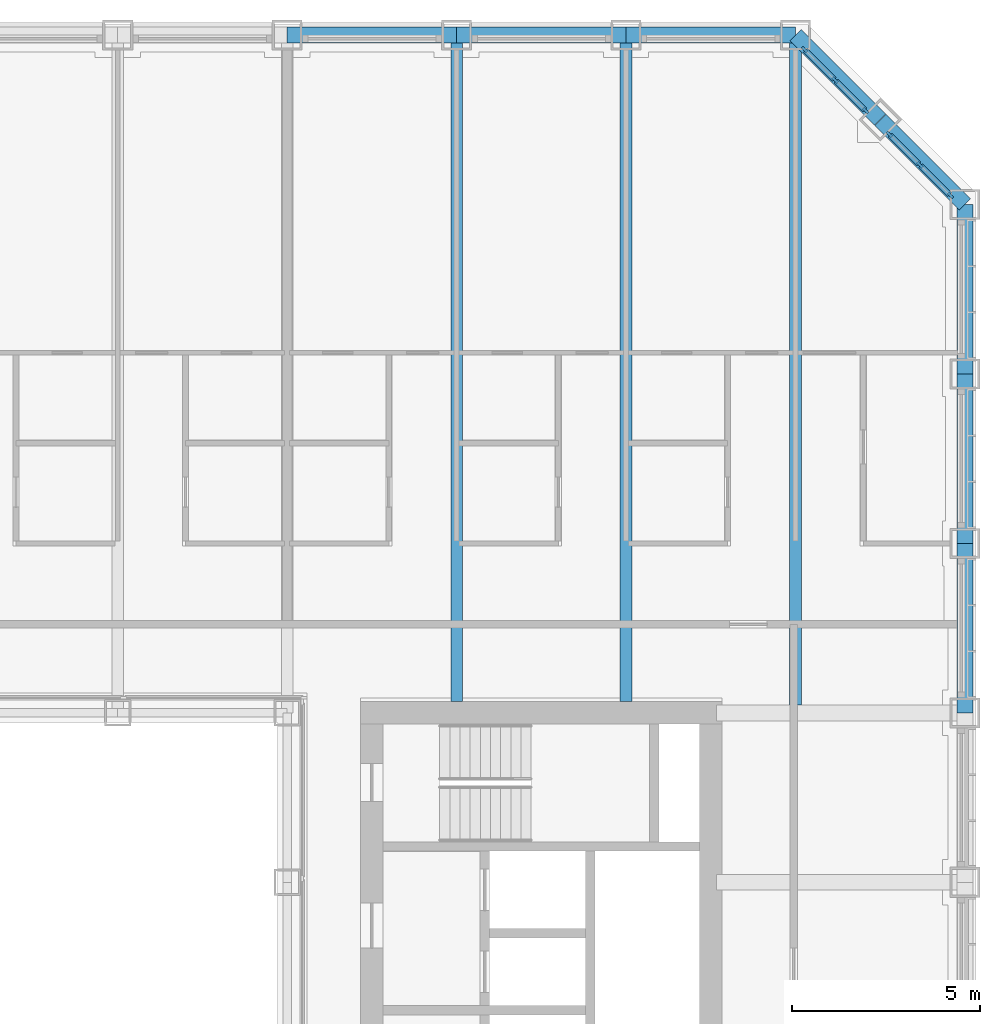
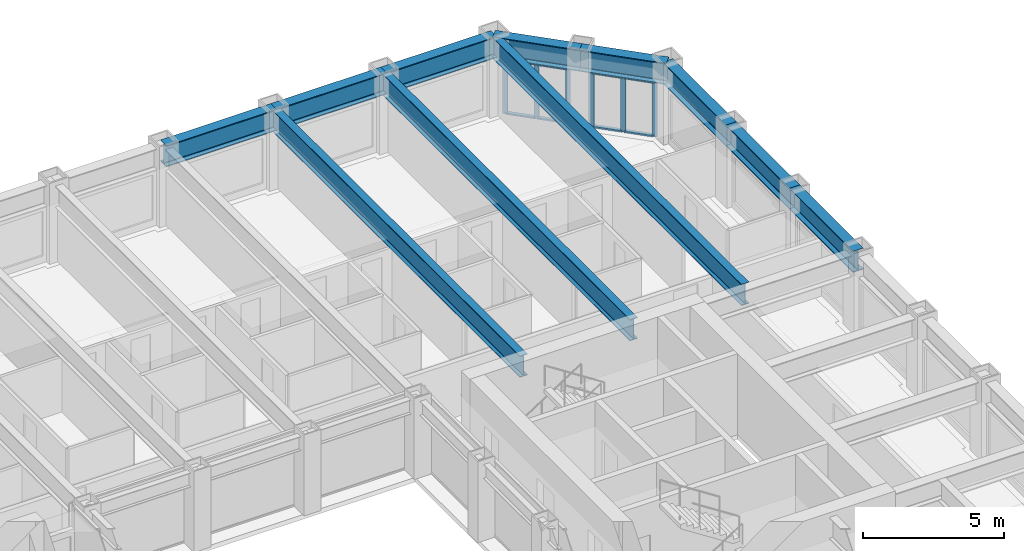
# One storey, part 7 of 21: 14 members, 11 beams, 2 elements without a shape of their own.
"""IFC4 building model written with IfcOpenShell, lengths in metres."""

from ifc_helpers import new_model, si_unit, direction, frame, origin, origin_2d, place, context, subcontext, project, spatial, rectangle, i_section, extrude, material, material_profile, profile_set, type_object, element, aggregate, save


model = new_model("IFC4")

# Units and contexts
model_context = context("Model", 3, precision=1e-05, world=origin(), true_north=direction((0.0, 1.0)))
body_context = subcontext(model_context, "Body", "Model", "MODEL_VIEW")
ifc_project = project(units=[si_unit("LENGTHUNIT", "METRE"), si_unit("AREAUNIT", "SQUARE_METRE"), si_unit("VOLUMEUNIT", "CUBIC_METRE"), si_unit("PLANEANGLEUNIT", "RADIAN"), si_unit("MASSUNIT", "GRAM", prefix="KILO")], contexts=[model_context])

# Site, building, storey
site_placement = place(None, origin())
site = spatial("IfcSite", under=ifc_project, at=site_placement, CompositionType="ELEMENT")
building_placement = place(site_placement, origin())
building = spatial("IfcBuilding", under=site, at=building_placement, Name="Msasa Ring Tower", CompositionType="ELEMENT")
storey_placement = place(building_placement, frame((0.0, 0.0, 96.5)))
storey = spatial("IfcBuildingStorey", under=building, at=storey_placement, Name="L25", CompositionType="ELEMENT", Elevation=96.5)

# Curtain wall, members
ifc_material_1 = material(Name="Aluminium curtain wall with clear glass", Category="aluminium")
curtain_wall_type = type_object("IfcCurtainWallType", Name="CW-C CHAMFER CORNER CURTAIN WALL", PredefinedType="NOTDEFINED", material=ifc_material_1)
curtain_wall_1_placement = place(storey_placement, origin())
curtain_wall_1 = element("IfcCurtainWall", 1, at=curtain_wall_1_placement, inside=storey, type_object=curtain_wall_type, Name="Chamfer corner curtain wall NE L25", PredefinedType="NOTDEFINED")
ifc_material_2 = material(Name="Aluminium mullion", Category="aluminium")
ifc_material_profile_1 = material_profile(ifc_material_2, rectangle(XDim=0.06494140625, YDim=0.179931640625, at=origin_2d()), Name="AL 65x180")
ifc_profile_set_1 = profile_set([ifc_material_profile_1], Name="Aluminium mullion")
member_type_1 = type_object("IfcMemberType", Name="CW-C MULLION 65x180", PredefinedType="MULLION", material=ifc_profile_set_1)
member_1_placement = place(storey_placement, frame((22.119873046875, 22.73876953125, 0.0), z_axis=(0.0, 0.0, 1.0), x_axis=(-0.707106781187, -0.707106781187, 0.0)))
member_1 = element("IfcMember", 2, at=member_1_placement, type_object=member_type_1, Name="CW-C mullion 1", PredefinedType="MULLION", context=body_context, shape_type="SweptSolid", body=[
    extrude(rectangle(XDim=0.06494140625, YDim=0.179931640625, at=origin_2d()), origin(), (0.0, 0.0, 1.0), 2.37890625),
])
member_2_placement = place(storey_placement, frame((21.30419921875, 23.55419921875, 0.0), z_axis=(0.0, 0.0, 1.0), x_axis=(-0.707106781187, -0.707106781187, 0.0)))
member_2 = element("IfcMember", 3, at=member_2_placement, type_object=member_type_1, Name="CW-C mullion 2", PredefinedType="MULLION", context=body_context, shape_type="SweptSolid", body=[
    extrude(rectangle(XDim=0.06494140625, YDim=0.179931640625, at=origin_2d()), origin(), (0.0, 0.0, 1.0), 2.37890625),
])
member_3_placement = place(storey_placement, frame((20.48876953125, 24.369873046875, 0.0), z_axis=(0.0, 0.0, 1.0), x_axis=(-0.707106781187, -0.707106781187, 0.0)))
member_3 = element("IfcMember", 4, at=member_3_placement, type_object=member_type_1, Name="CW-C mullion 3", PredefinedType="MULLION", context=body_context, shape_type="SweptSolid", body=[
    extrude(rectangle(XDim=0.06494140625, YDim=0.179931640625, at=origin_2d()), origin(), (0.0, 0.0, 1.0), 2.37890625),
])

curtain_wall_2_placement = place(storey_placement, origin())
curtain_wall_2 = element("IfcCurtainWall", 5, at=curtain_wall_2_placement, inside=storey, type_object=curtain_wall_type, Name="Chamfer corner curtain wall NE L25", PredefinedType="NOTDEFINED")
member_4_placement = place(storey_placement, frame((24.369873046875, 20.48876953125, 0.0), z_axis=(0.0, 0.0, 1.0), x_axis=(-0.707106781187, -0.707106781187, 0.0)))
member_4 = element("IfcMember", 6, at=member_4_placement, type_object=member_type_1, Name="CW-C mullion 1", PredefinedType="MULLION", context=body_context, shape_type="SweptSolid", body=[
    extrude(rectangle(XDim=0.06494140625, YDim=0.179931640625, at=origin_2d()), origin(), (0.0, 0.0, 1.0), 2.37890625),
])
member_5_placement = place(storey_placement, frame((23.55419921875, 21.30419921875, 0.0), z_axis=(0.0, 0.0, 1.0), x_axis=(-0.707106781187, -0.707106781187, 0.0)))
member_5 = element("IfcMember", 7, at=member_5_placement, type_object=member_type_1, Name="CW-C mullion 2", PredefinedType="MULLION", context=body_context, shape_type="SweptSolid", body=[
    extrude(rectangle(XDim=0.06494140625, YDim=0.179931640625, at=origin_2d()), origin(), (0.0, 0.0, 1.0), 2.37890625),
])
member_6_placement = place(storey_placement, frame((22.73876953125, 22.119873046875, 0.0), z_axis=(0.0, 0.0, 1.0), x_axis=(-0.707106781187, -0.707106781187, 0.0)))
member_6 = element("IfcMember", 8, at=member_6_placement, type_object=member_type_1, Name="CW-C mullion 3", PredefinedType="MULLION", context=body_context, shape_type="SweptSolid", body=[
    extrude(rectangle(XDim=0.06494140625, YDim=0.179931640625, at=origin_2d()), origin(), (0.0, 0.0, 1.0), 2.37890625),
])

# Member
ifc_material_3 = material(Name="Aluminium transom", Category="aluminium")
ifc_material_profile_2 = material_profile(ifc_material_3, rectangle(XDim=0.139892578125, YDim=0.06494140625, at=origin_2d()), Name="AL 65x140")
ifc_profile_set_2 = profile_set([ifc_material_profile_2], Name="Aluminium transom")
member_type_2 = type_object("IfcMemberType", Name="CW-C TRANSOM 65x140", PredefinedType="USERDEFINED", material=ifc_profile_set_2)
member_7_placement = place(storey_placement, frame((22.096923828125, 22.76171875, 0.032470703125), z_axis=(-0.707106781187, 0.707106781187, 0.0), x_axis=(-0.707106781187, -0.707106781187, 0.0)))
member_7 = element("IfcMember", 9, at=member_7_placement, type_object=member_type_2, Name="CW-C transom 1.1", ObjectType="TRANSOM", PredefinedType="USERDEFINED", context=body_context, shape_type="SweptSolid", body=[
    extrude(rectangle(XDim=0.139892578125, YDim=0.06494140625, at=origin_2d()), origin(), (0.0, 0.0, 1.0), 1.08837890625),
])

member_8_placement = place(storey_placement, frame((22.096923828125, 22.76171875, 2.346435546875), z_axis=(-0.707106781187, 0.707106781187, 0.0), x_axis=(-0.707106781187, -0.707106781187, 0.0)))
member_8 = element("IfcMember", 10, at=member_8_placement, type_object=member_type_2, Name="CW-C transom 1.2", ObjectType="TRANSOM", PredefinedType="USERDEFINED", context=body_context, shape_type="SweptSolid", body=[
    extrude(rectangle(XDim=0.139892578125, YDim=0.06494140625, at=origin_2d()), origin(), (0.0, 0.0, 1.0), 1.08837890625),
])

member_9_placement = place(storey_placement, frame((21.28125, 23.577392578125, 0.032470703125), z_axis=(-0.707106781187, 0.707106781187, 0.0), x_axis=(-0.707106781187, -0.707106781187, 0.0)))
member_9 = element("IfcMember", 11, at=member_9_placement, type_object=member_type_2, Name="CW-C transom 2.1", ObjectType="TRANSOM", PredefinedType="USERDEFINED", context=body_context, shape_type="SweptSolid", body=[
    extrude(rectangle(XDim=0.139892578125, YDim=0.06494140625, at=origin_2d()), origin(), (0.0, 0.0, 1.0), 1.08837890625),
])

member_10_placement = place(storey_placement, frame((21.28125, 23.577392578125, 2.346435546875), z_axis=(-0.707106781187, 0.707106781187, 0.0), x_axis=(-0.707106781187, -0.707106781187, 0.0)))
member_10 = element("IfcMember", 12, at=member_10_placement, type_object=member_type_2, Name="CW-C transom 2.2", ObjectType="TRANSOM", PredefinedType="USERDEFINED", context=body_context, shape_type="SweptSolid", body=[
    extrude(rectangle(XDim=0.139892578125, YDim=0.06494140625, at=origin_2d()), origin(), (0.0, 0.0, 1.0), 1.08837890625),
])

aggregate(curtain_wall_1, [member_1, member_2, member_3, member_7, member_8, member_9, member_10])

member_11_placement = place(storey_placement, frame((24.346923828125, 20.51171875, 0.032470703125), z_axis=(-0.707106781187, 0.707106781187, 0.0), x_axis=(-0.707106781187, -0.707106781187, 0.0)))
member_11 = element("IfcMember", 13, at=member_11_placement, type_object=member_type_2, Name="CW-C transom 1.1", ObjectType="TRANSOM", PredefinedType="USERDEFINED", context=body_context, shape_type="SweptSolid", body=[
    extrude(rectangle(XDim=0.139892578125, YDim=0.06494140625, at=origin_2d()), origin(), (0.0, 0.0, 1.0), 1.08837890625),
])

member_12_placement = place(storey_placement, frame((24.346923828125, 20.51171875, 2.346435546875), z_axis=(-0.707106781187, 0.707106781187, 0.0), x_axis=(-0.707106781187, -0.707106781187, 0.0)))
member_12 = element("IfcMember", 14, at=member_12_placement, type_object=member_type_2, Name="CW-C transom 1.2", ObjectType="TRANSOM", PredefinedType="USERDEFINED", context=body_context, shape_type="SweptSolid", body=[
    extrude(rectangle(XDim=0.139892578125, YDim=0.06494140625, at=origin_2d()), origin(), (0.0, 0.0, 1.0), 1.08837890625),
])

member_13_placement = place(storey_placement, frame((23.53125, 21.327392578125, 0.032470703125), z_axis=(-0.707106781187, 0.707106781187, 0.0), x_axis=(-0.707106781187, -0.707106781187, 0.0)))
member_13 = element("IfcMember", 15, at=member_13_placement, type_object=member_type_2, Name="CW-C transom 2.1", ObjectType="TRANSOM", PredefinedType="USERDEFINED", context=body_context, shape_type="SweptSolid", body=[
    extrude(rectangle(XDim=0.139892578125, YDim=0.06494140625, at=origin_2d()), origin(), (0.0, 0.0, 1.0), 1.08837890625),
])

member_14_placement = place(storey_placement, frame((23.53125, 21.327392578125, 2.346435546875), z_axis=(-0.707106781187, 0.707106781187, 0.0), x_axis=(-0.707106781187, -0.707106781187, 0.0)))
member_14 = element("IfcMember", 16, at=member_14_placement, type_object=member_type_2, Name="CW-C transom 2.2", ObjectType="TRANSOM", PredefinedType="USERDEFINED", context=body_context, shape_type="SweptSolid", body=[
    extrude(rectangle(XDim=0.139892578125, YDim=0.06494140625, at=origin_2d()), origin(), (0.0, 0.0, 1.0), 1.08837890625),
])

aggregate(curtain_wall_2, [member_4, member_5, member_6, member_11, member_12, member_13, member_14])

# Beams
ifc_material_4 = material(Name="Steel S355", Category="steel")
ifc_material_profile_3 = material_profile(ifc_material_4, i_section(OverallWidth=0.3076171875, OverallDepth=0.926513671875, WebThickness=0.01953125, FlangeThickness=0.031982421875, FilletRadius=0.01904296875, at=origin_2d()), Name="UB 914x305x289")
ifc_profile_set_3 = profile_set([ifc_material_profile_3], Name="Steel S355")
beam_type_1 = type_object("IfcBeamType", Name="FB3 UB 914x305x289", PredefinedType="BEAM", material=ifc_profile_set_3)
for number, where, z_axis, x_axis, name in (
    (17, (11.25, 24.75, 2.836669921875), (0.0, -1.0, 0.0), (1.0, 0.0, 0.0), "Floor beam N+11.25 under L26"),
    (18, (15.75, 24.75, 2.836669921875), (0.0, -1.0, 0.0), (1.0, 0.0, 0.0), "Floor beam N+15.75 under L26"),
):
    element("IfcBeam", number, at=place(storey_placement, frame(where, z_axis=z_axis, x_axis=x_axis)), inside=storey, type_object=beam_type_1, Name=name, PredefinedType="BEAM", context=body_context, shape_type="SweptSolid", body=[
        extrude(i_section(OverallWidth=0.3076171875, OverallDepth=0.926513671875, WebThickness=0.01953125, FlangeThickness=0.031982421875, FilletRadius=0.01904296875, at=origin_2d()), origin(), (0.0, 0.0, 1.0), 17.699951171875),
    ])
beam_placement = place(storey_placement, frame((20.25, 24.75, 2.836669921875), z_axis=(0.0, -1.0, 0.0), x_axis=(1.0, 0.0, 0.0)))
element("IfcBeam", 19, at=beam_placement, inside=storey, type_object=beam_type_1, Name="Floor beam N+20.25 under L26", PredefinedType="BEAM", context=body_context, shape_type="SweptSolid", body=[
    extrude(i_section(OverallWidth=0.3076171875, OverallDepth=0.926513671875, WebThickness=0.01953125, FlangeThickness=0.031982421875, FilletRadius=0.01904296875, at=origin_2d()), origin(), (0.0, 0.0, 1.0), 17.789794921875),
])
ifc_material_5 = material(Name="Steel S355", Category="steel")
ifc_material_profile_4 = material_profile(ifc_material_5, i_section(OverallWidth=0.42041015625, OverallDepth=0.9208984375, WebThickness=0.021484375, FlangeThickness=0.03662109375, FilletRadius=0.024169921875, at=origin_2d()), Name="UB 914x419x388")
ifc_profile_set_4 = profile_set([ifc_material_profile_4], Name="Steel S355")
beam_type_2 = type_object("IfcBeamType", Name="SB1 UB 914x419x388", PredefinedType="SPANDREL", material=ifc_profile_set_4)
for number, where, z_axis, x_axis, name in (
    (20, (24.75, 6.75, 2.839599609375), (0.0, 1.0, 0.0), (-1.0, 0.0, 0.0), "Spandrel E+6.75 to E+11.25 under L26"),
    (21, (24.75, 11.25, 2.839599609375), (0.0, 1.0, 0.0), (-1.0, 0.0, 0.0), "Spandrel E+11.25 to E+15.75 under L26"),
    (22, (24.75, 15.75, 2.839599609375), (0.0, 1.0, 0.0), (-1.0, 0.0, 0.0), "Spandrel E+15.75 to E+20.25 under L26"),
):
    element("IfcBeam", number, at=place(storey_placement, frame(where, z_axis=z_axis, x_axis=x_axis)), inside=storey, type_object=beam_type_2, Name=name, PredefinedType="SPANDREL", context=body_context, shape_type="SweptSolid", body=[
        extrude(i_section(OverallWidth=0.42041015625, OverallDepth=0.9208984375, WebThickness=0.021484375, FlangeThickness=0.03662109375, FilletRadius=0.024169921875, at=origin_2d()), origin(), (0.0, 0.0, 1.0), 4.5),
    ])
for number, where, z_axis, x_axis, name in (
    (23, (24.75, 20.25, 2.839599609375), (-0.707106781187, 0.707106781187, 0.0), (-0.707106781187, -0.707106781187, 0.0), "Spandrel E+20.25 to NE under L26"),
    (24, (22.5, 22.5, 2.839599609375), (-0.707106781187, 0.707106781187, 0.0), (-0.707106781187, -0.707106781187, 0.0), "Spandrel NE to N+20.25 under L26"),
):
    element("IfcBeam", number, at=place(storey_placement, frame(where, z_axis=z_axis, x_axis=x_axis)), inside=storey, type_object=beam_type_2, Name=name, PredefinedType="SPANDREL", context=body_context, shape_type="SweptSolid", body=[
        extrude(i_section(OverallWidth=0.42041015625, OverallDepth=0.9208984375, WebThickness=0.021484375, FlangeThickness=0.03662109375, FilletRadius=0.024169921875, at=origin_2d()), origin(), (0.0, 0.0, 1.0), 3.181884765625),
    ])
for number, where, z_axis, x_axis, name in (
    (25, (20.25, 24.75, 2.839599609375), (-1.0, 0.0, 0.0), (0.0, -1.0, 0.0), "Spandrel N+20.25 to N+15.75 under L26"),
    (26, (15.75, 24.75, 2.839599609375), (-1.0, 0.0, 0.0), (0.0, -1.0, 0.0), "Spandrel N+15.75 to N+11.25 under L26"),
    (27, (11.25, 24.75, 2.839599609375), (-1.0, 0.0, 0.0), (0.0, -1.0, 0.0), "Spandrel N+11.25 to N+6.75 under L26"),
):
    element("IfcBeam", number, at=place(storey_placement, frame(where, z_axis=z_axis, x_axis=x_axis)), inside=storey, type_object=beam_type_2, Name=name, PredefinedType="SPANDREL", context=body_context, shape_type="SweptSolid", body=[
        extrude(i_section(OverallWidth=0.42041015625, OverallDepth=0.9208984375, WebThickness=0.021484375, FlangeThickness=0.03662109375, FilletRadius=0.024169921875, at=origin_2d()), origin(), (0.0, 0.0, 1.0), 4.5),
    ])

save(model, "model.ifc")
